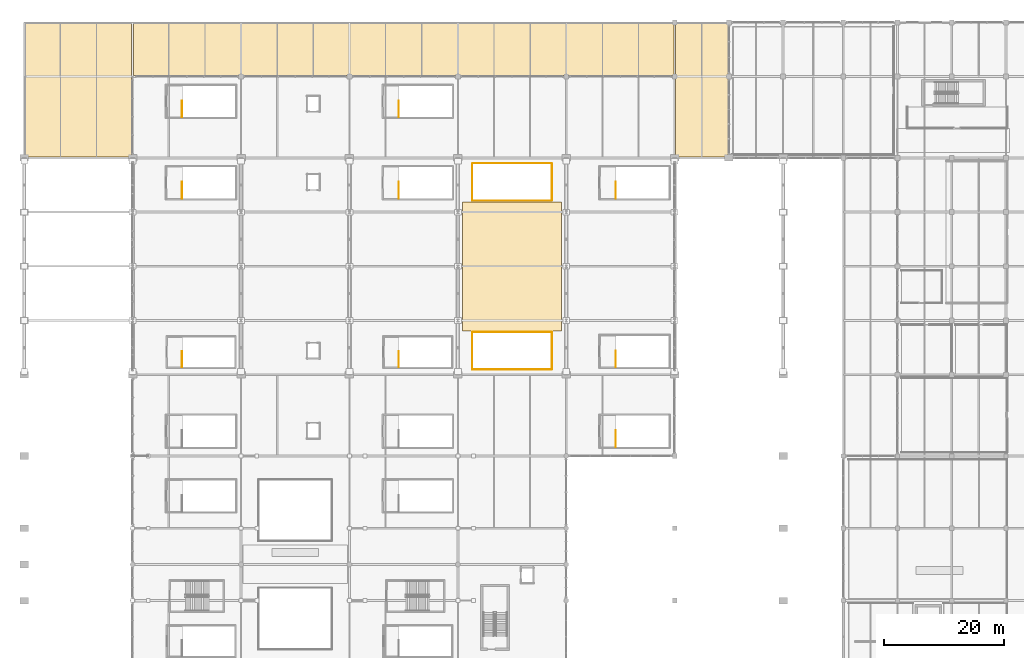
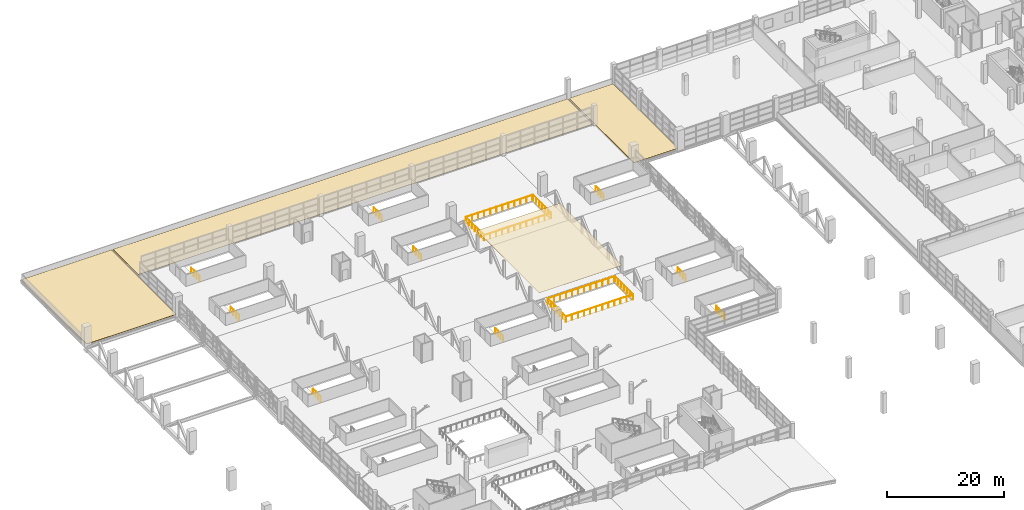
# One storey, part 129 of 136: 17 railings, 4 coverings.
"""IFC4 building model written with IfcOpenShell, lengths in metres."""

import ifcopenshell
import ifcopenshell.guid

model = None  # the IFC model being written
_history = None  # IfcOwnerHistory: only IFC2X3 demands one
_inside = {}  # id of a spatial element -> (the spatial element, [elements in it])
_under = {}  # id of a project, library or spatial element -> (it, [spatial elements below it])
_declared = {}  # id of a project -> (the project, [libraries it declares])
_typed = {}  # id of a type object -> (the type object, [elements of that type])
_made_of = {}  # id of a material, layer set ... -> (it, [elements and type objects made of it])


def new_model(schema):
    """Start an empty IFC model of exactly this schema.

    Asked for "IFC4X3", IfcOpenShell would pick the latest addendum, in which some entities
    have other attributes; the version numbers below select the first issue.
    IFC2X3 requires an IfcOwnerHistory on every rooted entity: one is made here for all.
    """
    global model, _history
    if schema == "IFC4X3":
        model = ifcopenshell.file(schema_version=(4, 3, 0, 0))
    else:
        model = ifcopenshell.file(schema=schema)
    _inside.clear()
    _under.clear()
    _declared.clear()
    _typed.clear()
    _made_of.clear()
    _history = None
    if model.schema == "IFC2X3":
        org = make("IfcOrganization", Name="unknown")
        user = make(
            "IfcPersonAndOrganization",
            ThePerson=make("IfcPerson", FamilyName="unknown"),
            TheOrganization=org,
        )
        app = make(
            "IfcApplication",
            ApplicationDeveloper=org,
            Version="unknown",
            ApplicationFullName="unknown",
            ApplicationIdentifier="unknown",
        )
        _history = make(
            "IfcOwnerHistory",
            OwningUser=user,
            OwningApplication=app,
            ChangeAction="ADDED",
            CreationDate=0,
        )
    return model


def make(cls, **values):
    """One entity of the class cls with the attributes given. An attribute that is None is left unset."""
    return model.create_entity(
        cls, **{name: value for name, value in values.items() if value is not None}
    )


def rooted(cls, **values):
    """An entity with a GlobalId (a new one), such as an element, a storey or a relation."""
    return make(cls, GlobalId=ifcopenshell.guid.new(), OwnerHistory=_history, **values)


def si_unit(unit_type, name, prefix=None):
    """IfcSIUnit, for example si_unit("LENGTHUNIT", "METRE", prefix="MILLI")."""
    return make("IfcSIUnit", UnitType=unit_type, Prefix=prefix, Name=name)


def assignment(units):
    """IfcUnitAssignment: the units of a project."""
    return None if units is None else make("IfcUnitAssignment", Units=units)


def point(xyz):
    """IfcCartesianPoint."""
    return None if xyz is None else make("IfcCartesianPoint", Coordinates=xyz)


def direction(xyz):
    """IfcDirection."""
    return None if xyz is None else make("IfcDirection", DirectionRatios=xyz)


def frame(location, z_axis=None, x_axis=None):
    """IfcAxis2Placement3D, a coordinate frame: its origin and axes. An axis left out is left unset."""
    return make(
        "IfcAxis2Placement3D",
        Location=point(location),
        Axis=direction(z_axis),
        RefDirection=direction(x_axis),
    )


def frame_2d(location, x_axis=None):
    """IfcAxis2Placement2D, a coordinate frame in the plane: its origin and x axis."""
    return make(
        "IfcAxis2Placement2D", Location=point(location), RefDirection=direction(x_axis)
    )


def origin():
    """The frame at (0, 0, 0) with its axes left unset."""
    return frame((0.0, 0.0, 0.0))


def origin_2d():
    """The frame at (0, 0) in the plane with its x axis left unset."""
    return frame_2d((0.0, 0.0))


def place(relative_to, where):
    """IfcLocalPlacement: puts the frame where relative to a parent placement (None: the world)."""
    return make(
        "IfcLocalPlacement", PlacementRelTo=relative_to, RelativePlacement=where
    )


def context(
    kind, dimensions, precision=None, world=None, true_north=None, identifier=None
):
    """IfcGeometricRepresentationContext, for example the 3D "Model" context."""
    return make(
        "IfcGeometricRepresentationContext",
        ContextIdentifier=identifier,
        ContextType=kind,
        CoordinateSpaceDimension=dimensions,
        Precision=precision,
        WorldCoordinateSystem=world,
        TrueNorth=true_north,
    )


def subcontext(parent, identifier, kind, view, scale=None):
    """IfcGeometricRepresentationSubContext, for example "Body" below "Model"."""
    return make(
        "IfcGeometricRepresentationSubContext",
        ContextIdentifier=identifier,
        ContextType=kind,
        ParentContext=parent,
        TargetScale=scale,
        TargetView=view,
    )


def project(units=None, contexts=None):
    """IfcProject with its units and contexts."""
    return rooted(
        "IfcProject",
        Name="project",
        RepresentationContexts=contexts,
        UnitsInContext=assignment(units),
    )


def spatial(cls, under=None, at=None, **own):
    """A site, building, storey or space (cls), placed at a placement, below another one or the project."""
    s = rooted(cls, ObjectPlacement=at, **own)
    if under is not None:
        _under.setdefault(under.id(), (under, []))[1].append(s)
    return s


def polyline(points):
    """IfcPolyline through the points."""
    return make("IfcPolyline", Points=[point(p) for p in points])


def profile(cls, at=None, kind="AREA", **sizes):
    """A parametric profile (cls). Its sizes go by their IFC names, for example OverallWidth=200.0."""
    return make(cls, ProfileType=kind, Position=at, **sizes)


def circle(**sizes):
    """IfcCircleProfileDef."""
    return profile("IfcCircleProfileDef", **sizes)


def outline(outer, holes=None, kind="AREA"):
    """IfcArbitraryClosedProfileDef: a profile drawn as a closed curve; with holes, ...WithVoids."""
    if holes is None:
        return make("IfcArbitraryClosedProfileDef", ProfileType=kind, OuterCurve=outer)
    return make(
        "IfcArbitraryProfileDefWithVoids",
        ProfileType=kind,
        OuterCurve=outer,
        InnerCurves=holes,
    )


def extrude(swept, where, along, depth):
    """IfcExtrudedAreaSolid: the profile swept, set in the frame where, extruded along a direction by depth."""
    return make(
        "IfcExtrudedAreaSolid",
        SweptArea=swept,
        Position=where,
        ExtrudedDirection=direction(along),
        Depth=depth,
    )


def shape(context_of_items, identifier, shape_type, items):
    """IfcShapeRepresentation: the items that make up one representation, for example the "Body"."""
    return make(
        "IfcShapeRepresentation",
        ContextOfItems=context_of_items,
        RepresentationIdentifier=identifier,
        RepresentationType=shape_type,
        Items=items,
    )


def material(Name=None, Category=None):
    """IfcMaterial."""
    return make("IfcMaterial", Name=Name, Category=Category)


def layer(
    of_material, thickness, ventilated=None, Name=None, Category=None, Priority=None
):
    """IfcMaterialLayer: one layer of a wall or slab, of a material (None: an air gap)."""
    return make(
        "IfcMaterialLayer",
        Material=of_material,
        LayerThickness=thickness,
        IsVentilated=ventilated,
        Name=Name,
        Category=Category,
        Priority=Priority,
    )


def layer_set(layers, Name=None):
    """IfcMaterialLayerSet."""
    return make("IfcMaterialLayerSet", MaterialLayers=layers, LayerSetName=Name)


def made_of(thing, what):
    """Note that an element or type object is made of a material, layer set ...; save() writes the relation."""
    if what is not None:
        _made_of.setdefault(what.id(), (what, []))[1].append(thing)
    return thing


def type_object(cls, material=None, **own):
    """A type object (cls), such as IfcWallType, which elements share."""
    return made_of(rooted(cls, **own), material)


def element(
    cls,
    number,
    at=None,
    inside=None,
    cuts=None,
    type_object=None,
    material=None,
    context=None,
    identifier="Body",
    shape_type=None,
    held_by="IfcProductDefinitionShape",
    body=None,
    shapes=None,
    **own,
):
    """One element of the class cls, such as IfcWall. Its Tag is "e" and its number.

    at: its placement. inside: the storey or other place that contains it. cuts: it is an
    opening in that element (IfcRelVoidsElement). A single representation is given by context,
    identifier, shape_type and body (its items); several are given by shapes. held_by: the class
    of the entity that holds the representations. save() writes the other relations.
    """
    e = rooted(cls, Tag="e%d" % number, ObjectPlacement=at, **own)
    if body is not None:
        shapes = [shape(context, identifier, shape_type, body)]
    if shapes is not None:
        e.Representation = make(held_by, Representations=shapes)
    if inside is not None:
        _inside.setdefault(inside.id(), (inside, []))[1].append(e)
    if cuts is not None:
        rooted(
            "IfcRelVoidsElement", RelatingBuildingElement=cuts, RelatedOpeningElement=e
        )
    if type_object is not None:
        _typed.setdefault(type_object.id(), (type_object, []))[1].append(e)
    return made_of(e, material)


def aggregate(whole, parts):
    """IfcRelAggregates: a whole, such as a stair, and the parts it consists of."""
    return rooted("IfcRelAggregates", RelatingObject=whole, RelatedObjects=parts)


def save(model, path):
    """Write the relations noted so far, then the file.

    IfcRelAggregates (storeys below a building ...), IfcRelContainedInSpatialStructure (elements
    in a storey), IfcRelDefinesByType, IfcRelAssociatesMaterial and IfcRelDeclares: one each for
    every whole, place, type object, material and project.
    """
    for whole, parts in _under.values():
        aggregate(whole, parts)
    for where, things in _inside.values():
        rooted(
            "IfcRelContainedInSpatialStructure",
            RelatedElements=things,
            RelatingStructure=where,
        )
    for kind, things in _typed.values():
        rooted("IfcRelDefinesByType", RelatedObjects=things, RelatingType=kind)
    for what, things in _made_of.values():
        rooted("IfcRelAssociatesMaterial", RelatedObjects=things, RelatingMaterial=what)
    for by, libraries in _declared.values():
        rooted("IfcRelDeclares", RelatingContext=by, RelatedDefinitions=libraries)
    model.write(path)


model = new_model("IFC4")

# Units and contexts
model_context = context("Model", 3, precision=1e-05, world=origin(), true_north=direction((0.0, 1.0)))
body_context = subcontext(model_context, "Body", "Model", "MODEL_VIEW")
ifc_project = project(units=[si_unit("LENGTHUNIT", "METRE"), si_unit("AREAUNIT", "SQUARE_METRE"), si_unit("VOLUMEUNIT", "CUBIC_METRE"), si_unit("PLANEANGLEUNIT", "RADIAN"), si_unit("MASSUNIT", "GRAM", prefix="KILO")], contexts=[model_context])

# Site, building, storey
site_placement = place(None, origin())
site = spatial("IfcSite", under=ifc_project, at=site_placement, CompositionType="ELEMENT")
building_placement = place(site_placement, origin())
building = spatial("IfcBuilding", under=site, at=building_placement, Name="Chuanluo Vaults Station", CompositionType="ELEMENT")
storey_placement = place(building_placement, frame((0.0, 0.0, 6.60009765625)))
storey = spatial("IfcBuildingStorey", under=building, at=storey_placement, Name="L01", CompositionType="ELEMENT", Elevation=6.60009765625)

# Coverings
ifc_material_1 = material(Name="Acoustic mineral-fibre tile")
ifc_layer_1 = layer(ifc_material_1, 0.02490234375)
ifc_layer_set_1 = layer_set([ifc_layer_1], Name="Acoustic mineral-fibre tile")
covering_type_1 = type_object("IfcCoveringType", Name="COV-CEIL-TILE", PredefinedType="CEILING", material=ifc_layer_set_1)
covering_1_placement = place(storey_placement, frame((0.0, 0.0, 2.75)))
element("IfcCovering", 1, at=covering_1_placement, inside=storey, type_object=covering_type_1, Name="L01-03B suspended acoustic ceiling", PredefinedType="CEILING", context=body_context, shape_type="SweptSolid", body=[
    extrude(outline(polyline([(72.800048828125, 74.800048828125), (89.199951171875, 74.800048828125), (89.199951171875, 96.199951171875), (72.800048828125, 96.199951171875), (72.800048828125, 74.800048828125)])), origin(), (0.0, 0.0, 1.0), 0.02490234375),
])
ifc_material_2 = material(Name="TPO waterproof roofing membrane")
ifc_layer_2 = layer(ifc_material_2, 0.044921875)
ifc_layer_set_2 = layer_set([ifc_layer_2], Name="TPO waterproof roofing membrane")
covering_type_2 = type_object("IfcCoveringType", Name="COV-ROOF-TPO", PredefinedType="ROOFING", material=ifc_layer_set_2)
covering_2_placement = place(storey_placement, origin())
element("IfcCovering", 2, at=covering_2_placement, inside=storey, type_object=covering_type_2, Name="Waterproof TPO roof membrane ROOF:L01:N1", PredefinedType="ROOFING", context=body_context, shape_type="SweptSolid", body=[
    extrude(outline(polyline([(0.14990234375, 103.64990234375), (17.85009765625, 103.64990234375), (17.85009765625, 125.85009765625), (0.14990234375, 125.85009765625), (0.14990234375, 103.64990234375)])), origin(), (0.0, 0.0, 1.0), 0.044921875),
])
covering_3_placement = place(storey_placement, origin())
element("IfcCovering", 3, at=covering_3_placement, inside=storey, type_object=covering_type_2, Name="Waterproof TPO roof membrane ROOF:L01:N2", PredefinedType="ROOFING", context=body_context, shape_type="SweptSolid", body=[
    extrude(outline(polyline([(18.14990234375, 117.14990234375), (107.85009765625, 117.14990234375), (107.85009765625, 125.85009765625), (18.14990234375, 125.85009765625), (18.14990234375, 117.14990234375)])), origin(), (0.0, 0.0, 1.0), 0.044921875),
])
covering_4_placement = place(storey_placement, origin())
element("IfcCovering", 4, at=covering_4_placement, inside=storey, type_object=covering_type_2, Name="Waterproof TPO roof membrane ROOF:L01:N3", PredefinedType="ROOFING", context=body_context, shape_type="SweptSolid", body=[
    extrude(outline(polyline([(108.14990234375, 103.64990234375), (116.85009765625, 103.64990234375), (116.85009765625, 125.85009765625), (108.14990234375, 125.85009765625), (108.14990234375, 103.64990234375)])), origin(), (0.0, 0.0, 1.0), 0.044921875),
])

# Railings
ifc_material_3 = material(Name="Tempered laminated balustrade glass", Category="glass")
railing_type = type_object("IfcRailingType", Name="RLG-GUARD-1200", PredefinedType="BALUSTRADE", material=ifc_material_3)
railing_1_placement = place(storey_placement, frame((74.3798828125, 68.3798828125, 0.0)))
element("IfcRailing", 5, at=railing_1_placement, inside=storey, type_object=railing_type, Name="Concourse atrium void glass balustrade 03-S", PredefinedType="BALUSTRADE", context=body_context, shape_type="SweptSolid", body=[
    extrude(circle(Radius=0.02392578125, at=origin_2d()), frame((0.0, 0.0, 1.17578125), z_axis=(1.0, 0.0, 0.0), x_axis=(0.0, 1.0, 0.0)), (0.0, 0.0, 1.0), 13.16015625),
    extrude(circle(Radius=0.02099609375, at=origin_2d()), origin(), (0.0, 0.0, 1.0), 1.15185546875),
    extrude(circle(Radius=0.02099609375, at=origin_2d()), frame((1.1962890625, 0.0, 0.0)), (0.0, 0.0, 1.0), 1.15185546875),
    extrude(circle(Radius=0.02099609375, at=origin_2d()), frame((2.392822265625, 0.0, 0.0)), (0.0, 0.0, 1.0), 1.15185546875),
    extrude(circle(Radius=0.02099609375, at=origin_2d()), frame((3.589111328125, 0.0, 0.0)), (0.0, 0.0, 1.0), 1.15185546875),
    extrude(circle(Radius=0.02099609375, at=origin_2d()), frame((4.785400390625, 0.0, 0.0)), (0.0, 0.0, 1.0), 1.15185546875),
    extrude(circle(Radius=0.02099609375, at=origin_2d()), frame((5.98193359375, 0.0, 0.0)), (0.0, 0.0, 1.0), 1.15185546875),
    extrude(circle(Radius=0.02099609375, at=origin_2d()), frame((7.17822265625, 0.0, 0.0)), (0.0, 0.0, 1.0), 1.15185546875),
    extrude(circle(Radius=0.02099609375, at=origin_2d()), frame((8.374755859375, 0.0, 0.0)), (0.0, 0.0, 1.0), 1.15185546875),
    extrude(circle(Radius=0.02099609375, at=origin_2d()), frame((9.571044921875, 0.0, 0.0)), (0.0, 0.0, 1.0), 1.15185546875),
    extrude(circle(Radius=0.02099609375, at=origin_2d()), frame((10.767333984375, 0.0, 0.0)), (0.0, 0.0, 1.0), 1.15185546875),
    extrude(circle(Radius=0.02099609375, at=origin_2d()), frame((11.9638671875, 0.0, 0.0)), (0.0, 0.0, 1.0), 1.15185546875),
    extrude(circle(Radius=0.02099609375, at=origin_2d()), frame((13.16015625, 0.0, 0.0)), (0.0, 0.0, 1.0), 1.15185546875),
])
railing_2_placement = place(storey_placement, frame((87.6201171875, 68.4599609375, 0.0)))
element("IfcRailing", 6, at=railing_2_placement, inside=storey, type_object=railing_type, Name="Concourse atrium void glass balustrade 03-E", PredefinedType="BALUSTRADE", context=body_context, shape_type="SweptSolid", body=[
    extrude(circle(Radius=0.02392578125, at=origin_2d()), frame((0.0, 0.0, 1.17578125), z_axis=(0.0, 1.0, 0.0), x_axis=(-1.0, 0.0, 0.0)), (0.0, 0.0, 1.0), 6.080078125),
    extrude(circle(Radius=0.02099609375, at=origin_2d()), origin(), (0.0, 0.0, 1.0), 1.15185546875),
    extrude(circle(Radius=0.02099609375, at=origin_2d()), frame((0.0, 1.013427734375, 0.0)), (0.0, 0.0, 1.0), 1.15185546875),
    extrude(circle(Radius=0.02099609375, at=origin_2d()), frame((0.0, 2.026611328125, 0.0)), (0.0, 0.0, 1.0), 1.15185546875),
    extrude(circle(Radius=0.02099609375, at=origin_2d()), frame((0.0, 3.0400390625, 0.0)), (0.0, 0.0, 1.0), 1.15185546875),
    extrude(circle(Radius=0.02099609375, at=origin_2d()), frame((0.0, 4.053466796875, 0.0)), (0.0, 0.0, 1.0), 1.15185546875),
    extrude(circle(Radius=0.02099609375, at=origin_2d()), frame((0.0, 5.066650390625, 0.0)), (0.0, 0.0, 1.0), 1.15185546875),
    extrude(circle(Radius=0.02099609375, at=origin_2d()), frame((0.0, 6.080078125, 0.0)), (0.0, 0.0, 1.0), 1.15185546875),
])
railing_3_placement = place(storey_placement, frame((87.5400390625, 74.6201171875, 0.0)))
element("IfcRailing", 7, at=railing_3_placement, inside=storey, type_object=railing_type, Name="Concourse atrium void glass balustrade 03-N", PredefinedType="BALUSTRADE", context=body_context, shape_type="SweptSolid", body=[
    extrude(circle(Radius=0.02392578125, at=origin_2d()), frame((0.0, 0.0, 1.17578125), z_axis=(-1.0, 0.0, 0.0), x_axis=(0.0, -1.0, 0.0)), (0.0, 0.0, 1.0), 13.080078125),
    extrude(circle(Radius=0.02099609375, at=origin_2d()), origin(), (0.0, 0.0, 1.0), 1.15185546875),
    extrude(circle(Radius=0.02099609375, at=origin_2d()), frame((-1.189208984375, 0.0, 0.0)), (0.0, 0.0, 1.0), 1.15185546875),
    extrude(circle(Radius=0.02099609375, at=origin_2d()), frame((-2.378173828125, 0.0, 0.0)), (0.0, 0.0, 1.0), 1.15185546875),
    extrude(circle(Radius=0.02099609375, at=origin_2d()), frame((-3.5673828125, 0.0, 0.0)), (0.0, 0.0, 1.0), 1.15185546875),
    extrude(circle(Radius=0.02099609375, at=origin_2d()), frame((-4.75634765625, 0.0, 0.0)), (0.0, 0.0, 1.0), 1.15185546875),
    extrude(circle(Radius=0.02099609375, at=origin_2d()), frame((-5.945556640625, 0.0, 0.0)), (0.0, 0.0, 1.0), 1.15185546875),
    extrude(circle(Radius=0.02099609375, at=origin_2d()), frame((-7.134521484375, 0.0, 0.0)), (0.0, 0.0, 1.0), 1.15185546875),
    extrude(circle(Radius=0.02099609375, at=origin_2d()), frame((-8.32373046875, 0.0, 0.0)), (0.0, 0.0, 1.0), 1.15185546875),
    extrude(circle(Radius=0.02099609375, at=origin_2d()), frame((-9.5126953125, 0.0, 0.0)), (0.0, 0.0, 1.0), 1.15185546875),
    extrude(circle(Radius=0.02099609375, at=origin_2d()), frame((-10.701904296875, 0.0, 0.0)), (0.0, 0.0, 1.0), 1.15185546875),
    extrude(circle(Radius=0.02099609375, at=origin_2d()), frame((-11.890869140625, 0.0, 0.0)), (0.0, 0.0, 1.0), 1.15185546875),
    extrude(circle(Radius=0.02099609375, at=origin_2d()), frame((-13.080078125, 0.0, 0.0)), (0.0, 0.0, 1.0), 1.15185546875),
])
railing_4_placement = place(storey_placement, frame((74.3798828125, 74.5400390625, 0.0)))
element("IfcRailing", 8, at=railing_4_placement, inside=storey, type_object=railing_type, Name="Concourse atrium void glass balustrade 03-W", PredefinedType="BALUSTRADE", context=body_context, shape_type="SweptSolid", body=[
    extrude(circle(Radius=0.02392578125, at=origin_2d()), frame((0.0, 0.0, 1.17578125), z_axis=(0.0, -1.0, 0.0), x_axis=(1.0, 0.0, 0.0)), (0.0, 0.0, 1.0), 6.080078125),
    extrude(circle(Radius=0.02099609375, at=origin_2d()), origin(), (0.0, 0.0, 1.0), 1.15185546875),
    extrude(circle(Radius=0.02099609375, at=origin_2d()), frame((0.0, -1.013427734375, 0.0)), (0.0, 0.0, 1.0), 1.15185546875),
    extrude(circle(Radius=0.02099609375, at=origin_2d()), frame((0.0, -2.026611328125, 0.0)), (0.0, 0.0, 1.0), 1.15185546875),
    extrude(circle(Radius=0.02099609375, at=origin_2d()), frame((0.0, -3.0400390625, 0.0)), (0.0, 0.0, 1.0), 1.15185546875),
    extrude(circle(Radius=0.02099609375, at=origin_2d()), frame((0.0, -4.053466796875, 0.0)), (0.0, 0.0, 1.0), 1.15185546875),
    extrude(circle(Radius=0.02099609375, at=origin_2d()), frame((0.0, -5.066650390625, 0.0)), (0.0, 0.0, 1.0), 1.15185546875),
    extrude(circle(Radius=0.02099609375, at=origin_2d()), frame((0.0, -6.080078125, 0.0)), (0.0, 0.0, 1.0), 1.15185546875),
])
railing_5_placement = place(storey_placement, frame((74.3798828125, 96.3798828125, 0.0)))
element("IfcRailing", 9, at=railing_5_placement, inside=storey, type_object=railing_type, Name="Concourse atrium void glass balustrade 04-S", PredefinedType="BALUSTRADE", context=body_context, shape_type="SweptSolid", body=[
    extrude(circle(Radius=0.02392578125, at=origin_2d()), frame((0.0, 0.0, 1.17578125), z_axis=(1.0, 0.0, 0.0), x_axis=(0.0, 1.0, 0.0)), (0.0, 0.0, 1.0), 13.16015625),
    extrude(circle(Radius=0.02099609375, at=origin_2d()), origin(), (0.0, 0.0, 1.0), 1.15185546875),
    extrude(circle(Radius=0.02099609375, at=origin_2d()), frame((1.1962890625, 0.0, 0.0)), (0.0, 0.0, 1.0), 1.15185546875),
    extrude(circle(Radius=0.02099609375, at=origin_2d()), frame((2.392822265625, 0.0, 0.0)), (0.0, 0.0, 1.0), 1.15185546875),
    extrude(circle(Radius=0.02099609375, at=origin_2d()), frame((3.589111328125, 0.0, 0.0)), (0.0, 0.0, 1.0), 1.15185546875),
    extrude(circle(Radius=0.02099609375, at=origin_2d()), frame((4.785400390625, 0.0, 0.0)), (0.0, 0.0, 1.0), 1.15185546875),
    extrude(circle(Radius=0.02099609375, at=origin_2d()), frame((5.98193359375, 0.0, 0.0)), (0.0, 0.0, 1.0), 1.15185546875),
    extrude(circle(Radius=0.02099609375, at=origin_2d()), frame((7.17822265625, 0.0, 0.0)), (0.0, 0.0, 1.0), 1.15185546875),
    extrude(circle(Radius=0.02099609375, at=origin_2d()), frame((8.374755859375, 0.0, 0.0)), (0.0, 0.0, 1.0), 1.15185546875),
    extrude(circle(Radius=0.02099609375, at=origin_2d()), frame((9.571044921875, 0.0, 0.0)), (0.0, 0.0, 1.0), 1.15185546875),
    extrude(circle(Radius=0.02099609375, at=origin_2d()), frame((10.767333984375, 0.0, 0.0)), (0.0, 0.0, 1.0), 1.15185546875),
    extrude(circle(Radius=0.02099609375, at=origin_2d()), frame((11.9638671875, 0.0, 0.0)), (0.0, 0.0, 1.0), 1.15185546875),
    extrude(circle(Radius=0.02099609375, at=origin_2d()), frame((13.16015625, 0.0, 0.0)), (0.0, 0.0, 1.0), 1.15185546875),
])
railing_6_placement = place(storey_placement, frame((87.6201171875, 96.4599609375, 0.0)))
element("IfcRailing", 10, at=railing_6_placement, inside=storey, type_object=railing_type, Name="Concourse atrium void glass balustrade 04-E", PredefinedType="BALUSTRADE", context=body_context, shape_type="SweptSolid", body=[
    extrude(circle(Radius=0.02392578125, at=origin_2d()), frame((0.0, 0.0, 1.17578125), z_axis=(0.0, 1.0, 0.0), x_axis=(-1.0, 0.0, 0.0)), (0.0, 0.0, 1.0), 6.080078125),
    extrude(circle(Radius=0.02099609375, at=origin_2d()), origin(), (0.0, 0.0, 1.0), 1.15185546875),
    extrude(circle(Radius=0.02099609375, at=origin_2d()), frame((0.0, 1.013427734375, 0.0)), (0.0, 0.0, 1.0), 1.15185546875),
    extrude(circle(Radius=0.02099609375, at=origin_2d()), frame((0.0, 2.026611328125, 0.0)), (0.0, 0.0, 1.0), 1.15185546875),
    extrude(circle(Radius=0.02099609375, at=origin_2d()), frame((0.0, 3.0400390625, 0.0)), (0.0, 0.0, 1.0), 1.15185546875),
    extrude(circle(Radius=0.02099609375, at=origin_2d()), frame((0.0, 4.053466796875, 0.0)), (0.0, 0.0, 1.0), 1.15185546875),
    extrude(circle(Radius=0.02099609375, at=origin_2d()), frame((0.0, 5.066650390625, 0.0)), (0.0, 0.0, 1.0), 1.15185546875),
    extrude(circle(Radius=0.02099609375, at=origin_2d()), frame((0.0, 6.080078125, 0.0)), (0.0, 0.0, 1.0), 1.15185546875),
])
railing_7_placement = place(storey_placement, frame((87.5400390625, 102.6201171875, 0.0)))
element("IfcRailing", 11, at=railing_7_placement, inside=storey, type_object=railing_type, Name="Concourse atrium void glass balustrade 04-N", PredefinedType="BALUSTRADE", context=body_context, shape_type="SweptSolid", body=[
    extrude(circle(Radius=0.02392578125, at=origin_2d()), frame((0.0, 0.0, 1.17578125), z_axis=(-1.0, 0.0, 0.0), x_axis=(0.0, -1.0, 0.0)), (0.0, 0.0, 1.0), 13.080078125),
    extrude(circle(Radius=0.02099609375, at=origin_2d()), origin(), (0.0, 0.0, 1.0), 1.15185546875),
    extrude(circle(Radius=0.02099609375, at=origin_2d()), frame((-1.189208984375, 0.0, 0.0)), (0.0, 0.0, 1.0), 1.15185546875),
    extrude(circle(Radius=0.02099609375, at=origin_2d()), frame((-2.378173828125, 0.0, 0.0)), (0.0, 0.0, 1.0), 1.15185546875),
    extrude(circle(Radius=0.02099609375, at=origin_2d()), frame((-3.5673828125, 0.0, 0.0)), (0.0, 0.0, 1.0), 1.15185546875),
    extrude(circle(Radius=0.02099609375, at=origin_2d()), frame((-4.75634765625, 0.0, 0.0)), (0.0, 0.0, 1.0), 1.15185546875),
    extrude(circle(Radius=0.02099609375, at=origin_2d()), frame((-5.945556640625, 0.0, 0.0)), (0.0, 0.0, 1.0), 1.15185546875),
    extrude(circle(Radius=0.02099609375, at=origin_2d()), frame((-7.134521484375, 0.0, 0.0)), (0.0, 0.0, 1.0), 1.15185546875),
    extrude(circle(Radius=0.02099609375, at=origin_2d()), frame((-8.32373046875, 0.0, 0.0)), (0.0, 0.0, 1.0), 1.15185546875),
    extrude(circle(Radius=0.02099609375, at=origin_2d()), frame((-9.5126953125, 0.0, 0.0)), (0.0, 0.0, 1.0), 1.15185546875),
    extrude(circle(Radius=0.02099609375, at=origin_2d()), frame((-10.701904296875, 0.0, 0.0)), (0.0, 0.0, 1.0), 1.15185546875),
    extrude(circle(Radius=0.02099609375, at=origin_2d()), frame((-11.890869140625, 0.0, 0.0)), (0.0, 0.0, 1.0), 1.15185546875),
    extrude(circle(Radius=0.02099609375, at=origin_2d()), frame((-13.080078125, 0.0, 0.0)), (0.0, 0.0, 1.0), 1.15185546875),
])
railing_8_placement = place(storey_placement, frame((74.3798828125, 102.5400390625, 0.0)))
element("IfcRailing", 12, at=railing_8_placement, inside=storey, type_object=railing_type, Name="Concourse atrium void glass balustrade 04-W", PredefinedType="BALUSTRADE", context=body_context, shape_type="SweptSolid", body=[
    extrude(circle(Radius=0.02392578125, at=origin_2d()), frame((0.0, 0.0, 1.17578125), z_axis=(0.0, -1.0, 0.0), x_axis=(1.0, 0.0, 0.0)), (0.0, 0.0, 1.0), 6.080078125),
    extrude(circle(Radius=0.02099609375, at=origin_2d()), origin(), (0.0, 0.0, 1.0), 1.15185546875),
    extrude(circle(Radius=0.02099609375, at=origin_2d()), frame((0.0, -1.013427734375, 0.0)), (0.0, 0.0, 1.0), 1.15185546875),
    extrude(circle(Radius=0.02099609375, at=origin_2d()), frame((0.0, -2.026611328125, 0.0)), (0.0, 0.0, 1.0), 1.15185546875),
    extrude(circle(Radius=0.02099609375, at=origin_2d()), frame((0.0, -3.0400390625, 0.0)), (0.0, 0.0, 1.0), 1.15185546875),
    extrude(circle(Radius=0.02099609375, at=origin_2d()), frame((0.0, -4.053466796875, 0.0)), (0.0, 0.0, 1.0), 1.15185546875),
    extrude(circle(Radius=0.02099609375, at=origin_2d()), frame((0.0, -5.066650390625, 0.0)), (0.0, 0.0, 1.0), 1.15185546875),
    extrude(circle(Radius=0.02099609375, at=origin_2d()), frame((0.0, -6.080078125, 0.0)), (0.0, 0.0, 1.0), 1.15185546875),
])
railing_9_placement = place(storey_placement, frame((98.199951171875, 55.5, 0.0)))
element("IfcRailing", 13, at=railing_9_placement, inside=storey, type_object=railing_type, Name="L01 ST-09 top well guard 1", PredefinedType="BALUSTRADE", context=body_context, shape_type="SweptSolid", body=[
    extrude(circle(Radius=0.02392578125, at=origin_2d()), frame((0.0, 0.0, 1.17578125), z_axis=(0.0, 1.0, 0.0), x_axis=(-1.0, 0.0, 0.0)), (0.0, 0.0, 1.0), 2.75),
    extrude(circle(Radius=0.02099609375, at=origin_2d()), origin(), (0.0, 0.0, 1.0), 1.15185546875),
    extrude(circle(Radius=0.02099609375, at=origin_2d()), frame((0.0, 0.916748046875, 0.0)), (0.0, 0.0, 1.0), 1.15185546875),
    extrude(circle(Radius=0.02099609375, at=origin_2d()), frame((0.0, 1.833251953125, 0.0)), (0.0, 0.0, 1.0), 1.15185546875),
    extrude(circle(Radius=0.02099609375, at=origin_2d()), frame((0.0, 2.75, 0.0)), (0.0, 0.0, 1.0), 1.15185546875),
])
for number, where, name in (
    (14, (26.199951171875, 68.75, 0.0), "L01 ST-10 top well guard 1"),
    (15, (62.199951171875, 68.75, 0.0), "L01 ST-11 top well guard 1"),
):
    element("IfcRailing", number, at=place(storey_placement, frame(where)), inside=storey, type_object=railing_type, Name=name, PredefinedType="BALUSTRADE", context=body_context, shape_type="SweptSolid", body=[
        extrude(circle(Radius=0.02392578125, at=origin_2d()), frame((0.0, 0.0, 1.17578125), z_axis=(0.0, 1.0, 0.0), x_axis=(-1.0, 0.0, 0.0)), (0.0, 0.0, 1.0), 2.625),
        extrude(circle(Radius=0.02099609375, at=origin_2d()), origin(), (0.0, 0.0, 1.0), 1.15185546875),
        extrude(circle(Radius=0.02099609375, at=origin_2d()), frame((0.0, 0.875, 0.0)), (0.0, 0.0, 1.0), 1.15185546875),
        extrude(circle(Radius=0.02099609375, at=origin_2d()), frame((0.0, 1.75, 0.0)), (0.0, 0.0, 1.0), 1.15185546875),
        extrude(circle(Radius=0.02099609375, at=origin_2d()), frame((0.0, 2.625, 0.0)), (0.0, 0.0, 1.0), 1.15185546875),
    ])
for number, where, name in (
    (16, (98.199951171875, 68.75, 0.0), "L01 ST-12 top well guard 1"),
    (17, (26.199951171875, 96.75, 0.0), "L01 ST-13 top well guard 1"),
    (18, (62.199951171875, 96.75, 0.0), "L01 ST-14 top well guard 1"),
    (19, (98.199951171875, 96.75, 0.0), "L01 ST-15 top well guard 1"),
    (20, (26.199951171875, 110.25, 0.0), "L01 ST-16 top well guard 1"),
    (21, (62.199951171875, 110.25, 0.0), "L01 ST-17 top well guard 1"),
):
    element("IfcRailing", number, at=place(storey_placement, frame(where)), inside=storey, type_object=railing_type, Name=name, PredefinedType="BALUSTRADE", context=body_context, shape_type="SweptSolid", body=[
        extrude(circle(Radius=0.02392578125, at=origin_2d()), frame((0.0, 0.0, 1.17578125), z_axis=(0.0, 1.0, 0.0), x_axis=(-1.0, 0.0, 0.0)), (0.0, 0.0, 1.0), 2.75),
        extrude(circle(Radius=0.02099609375, at=origin_2d()), origin(), (0.0, 0.0, 1.0), 1.15185546875),
        extrude(circle(Radius=0.02099609375, at=origin_2d()), frame((0.0, 0.916748046875, 0.0)), (0.0, 0.0, 1.0), 1.15185546875),
        extrude(circle(Radius=0.02099609375, at=origin_2d()), frame((0.0, 1.833251953125, 0.0)), (0.0, 0.0, 1.0), 1.15185546875),
        extrude(circle(Radius=0.02099609375, at=origin_2d()), frame((0.0, 2.75, 0.0)), (0.0, 0.0, 1.0), 1.15185546875),
    ])

save(model, "model.ifc")
